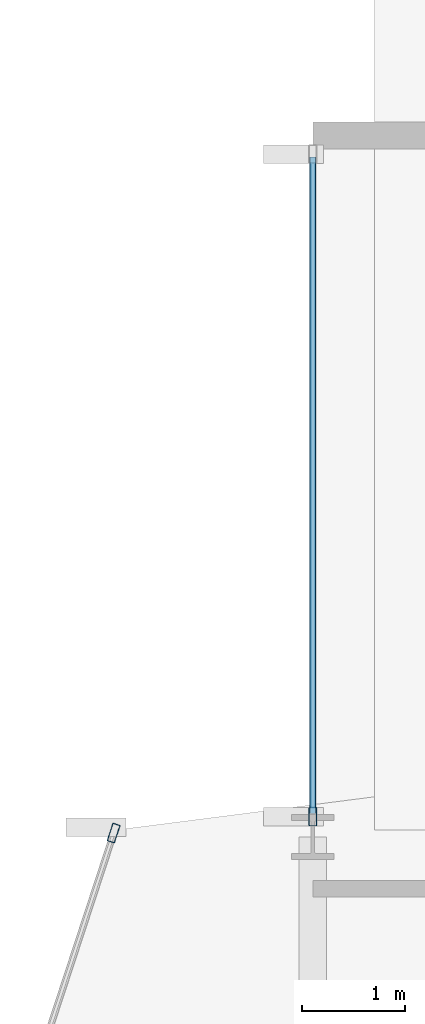
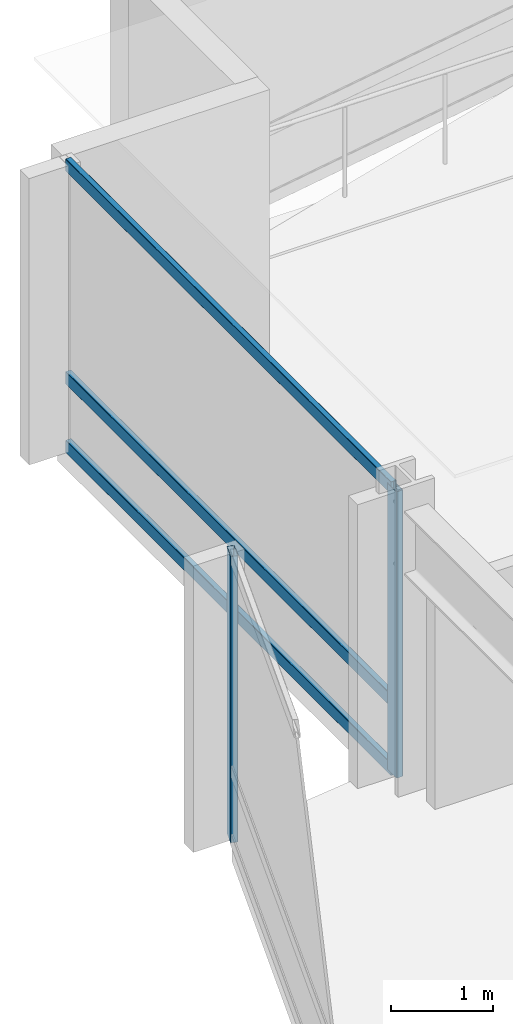
# One storey, part 16 of 29: 5 members, 2 elements without a shape of their own.
"""IFC4 building model written with IfcOpenShell, lengths in metres."""

from ifc_helpers import new_model, si_unit, direction, frame, origin, origin_2d, place, context, subcontext, project, spatial, hollow_rectangle, extrude, material, layer, layer_set, material_profile, profile_set, type_object, element, aggregate, save


model = new_model("IFC4")

# Units and contexts
model_context = context("Model", 3, precision=1e-05, world=origin(), true_north=direction((0.0, 1.0)))
body_context = subcontext(model_context, "Body", "Model", "MODEL_VIEW")
ifc_project = project(units=[si_unit("LENGTHUNIT", "METRE"), si_unit("AREAUNIT", "SQUARE_METRE"), si_unit("VOLUMEUNIT", "CUBIC_METRE"), si_unit("PLANEANGLEUNIT", "RADIAN"), si_unit("MASSUNIT", "GRAM", prefix="KILO")], contexts=[model_context])

# Site, building, storey
site_placement = place(None, origin())
site = spatial("IfcSite", under=ifc_project, at=site_placement, CompositionType="ELEMENT")
building_placement = place(site_placement, origin())
building = spatial("IfcBuilding", under=site, at=building_placement, Name="Solvaryn Broadcast Tower", CompositionType="ELEMENT")
storey_placement = place(building_placement, frame((0.0, 0.0, 139.60009765625)))
storey = spatial("IfcBuildingStorey", under=building, at=storey_placement, Name="L34", CompositionType="ELEMENT", Elevation=139.60009765625)

# Curtain wall, member
ifc_material_1 = material(Name="Aluminium and Terracotta Unitised Curtain Wall", Category="masonry")
ifc_layer = layer(ifc_material_1, 0.199951171875)
ifc_layer_set = layer_set([ifc_layer], Name="CW-SYS2-LOWMID")
curtain_wall_type = type_object("IfcCurtainWallType", Name="CW-SYS2-LOWMID", PredefinedType="NOTDEFINED", material=ifc_layer_set)
curtain_wall_1_placement = place(storey_placement, origin())
curtain_wall_1 = element("IfcCurtainWall", 1, at=curtain_wall_1_placement, inside=storey, type_object=curtain_wall_type, Name="L34 Curtain Wall DR1", PredefinedType="NOTDEFINED")
ifc_material_2 = material(Name="Anodised Aluminium 6063-T6", Category="aluminium")
ifc_material_profile_1 = material_profile(ifc_material_2, hollow_rectangle(XDim=0.074951171875, YDim=0.179931640625, WallThickness=0.00390625, InnerFilletRadius=0.00390625, OuterFilletRadius=0.008056640625, at=origin_2d()))
ifc_profile_set_1 = profile_set([ifc_material_profile_1], Name="Anodised Aluminium 6063-T6")
member_type_1 = type_object("IfcMemberType", Name="CW-MUL-180", PredefinedType="MULLION", material=ifc_profile_set_1)
member_1_placement = place(storey_placement, frame((7.069580078125, 45.03857421875, 0.0), z_axis=(0.0, 0.0, 1.0), x_axis=(0.950198260794, -0.311646057547, 0.0)))
member_1 = element("IfcMember", 2, at=member_1_placement, type_object=member_type_1, Name="CWS2 mullion 1", PredefinedType="MULLION", context=body_context, shape_type="SweptSolid", body=[
    extrude(hollow_rectangle(XDim=0.074951171875, YDim=0.179931640625, WallThickness=0.00390625, InnerFilletRadius=0.00390625, OuterFilletRadius=0.008056640625, at=origin_2d()), origin(), (0.0, 0.0, 1.0), 3.419921875),
])
aggregate(curtain_wall_1, [member_1])

# Curtain wall, members
curtain_wall_2_placement = place(storey_placement, origin())
curtain_wall_2 = element("IfcCurtainWall", 3, at=curtain_wall_2_placement, inside=storey, type_object=curtain_wall_type, Name="L34 Curtain Wall W2", PredefinedType="NOTDEFINED")
member_2_placement = place(storey_placement, frame((9.0, 45.197021484375, 0.0), z_axis=(0.0, 0.0, 1.0), x_axis=(-1.0, 0.0, 0.0)))
member_2 = element("IfcMember", 4, at=member_2_placement, type_object=member_type_1, Name="CWS2 mullion 1", PredefinedType="MULLION", context=body_context, shape_type="SweptSolid", body=[
    extrude(hollow_rectangle(XDim=0.074951171875, YDim=0.179931640625, WallThickness=0.00390625, InnerFilletRadius=0.00390625, OuterFilletRadius=0.008056640625, at=origin_2d()), origin(), (0.0, 0.0, 1.0), 3.419921875),
])
ifc_material_3 = material(Name="Anodised Aluminium 6063-T6", Category="aluminium")
ifc_material_profile_2 = material_profile(ifc_material_3, hollow_rectangle(XDim=0.06494140625, YDim=0.14990234375, WallThickness=0.00390625, InnerFilletRadius=0.00390625, OuterFilletRadius=0.008056640625, at=origin_2d()))
ifc_profile_set_2 = profile_set([ifc_material_profile_2], Name="Anodised Aluminium 6063-T6")
member_type_2 = type_object("IfcMemberType", Name="CW-TRN-150", PredefinedType="USERDEFINED", material=ifc_profile_set_2)
member_3_placement = place(storey_placement, frame((9.0, 45.22705078125, 0.02978515625), z_axis=(0.0, 1.0, 0.0), x_axis=(-1.0, 0.0, 0.0)))
member_3 = element("IfcMember", 5, at=member_3_placement, type_object=member_type_2, Name="CWS2 transom 1.1", ObjectType="TRANSOM", PredefinedType="USERDEFINED", context=body_context, shape_type="SweptSolid", body=[
    extrude(hollow_rectangle(XDim=0.06494140625, YDim=0.14990234375, WallThickness=0.00390625, InnerFilletRadius=0.00390625, OuterFilletRadius=0.008056640625, at=origin_2d()), origin(), (0.0, 0.0, 1.0), 6.363037109375),
])
member_4_placement = place(storey_placement, frame((9.0, 45.22705078125, 0.849853515625), z_axis=(0.0, 1.0, 0.0), x_axis=(-1.0, 0.0, 0.0)))
member_4 = element("IfcMember", 6, at=member_4_placement, type_object=member_type_2, Name="CWS2 transom 1.2", ObjectType="TRANSOM", PredefinedType="USERDEFINED", context=body_context, shape_type="SweptSolid", body=[
    extrude(hollow_rectangle(XDim=0.06494140625, YDim=0.14990234375, WallThickness=0.00390625, InnerFilletRadius=0.00390625, OuterFilletRadius=0.008056640625, at=origin_2d()), origin(), (0.0, 0.0, 1.0), 6.363037109375),
])
member_5_placement = place(storey_placement, frame((9.0, 45.22705078125, 3.389892578125), z_axis=(0.0, 1.0, 0.0), x_axis=(-1.0, 0.0, 0.0)))
member_5 = element("IfcMember", 7, at=member_5_placement, type_object=member_type_2, Name="CWS2 transom 1.3", ObjectType="TRANSOM", PredefinedType="USERDEFINED", context=body_context, shape_type="SweptSolid", body=[
    extrude(hollow_rectangle(XDim=0.06494140625, YDim=0.14990234375, WallThickness=0.00390625, InnerFilletRadius=0.00390625, OuterFilletRadius=0.008056640625, at=origin_2d()), origin(), (0.0, 0.0, 1.0), 6.363037109375),
])
aggregate(curtain_wall_2, [member_2, member_3, member_4, member_5])

save(model, "model.ifc")
